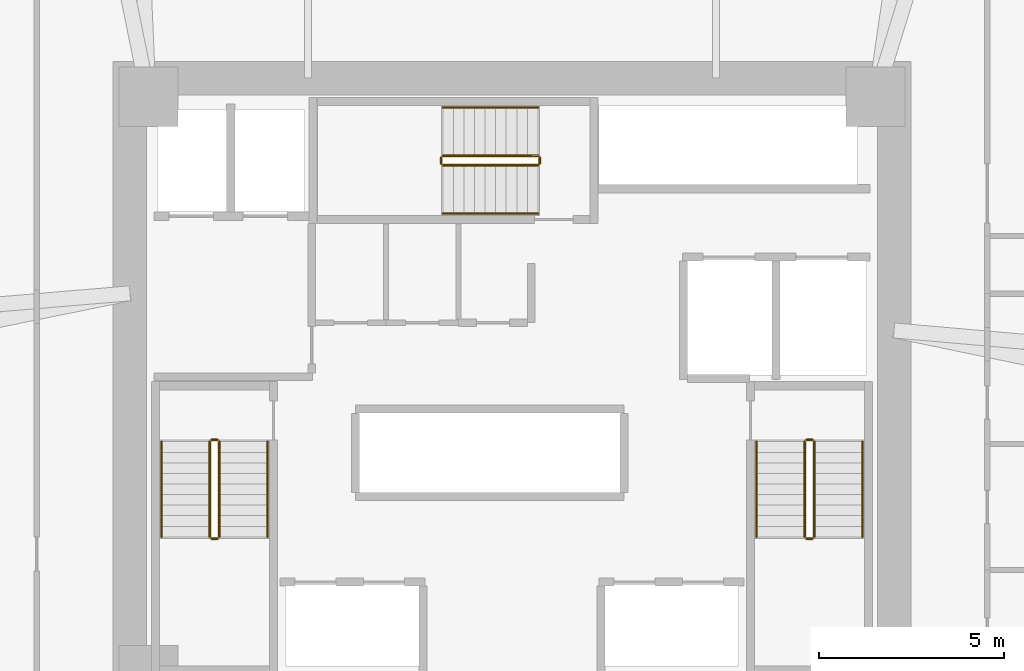
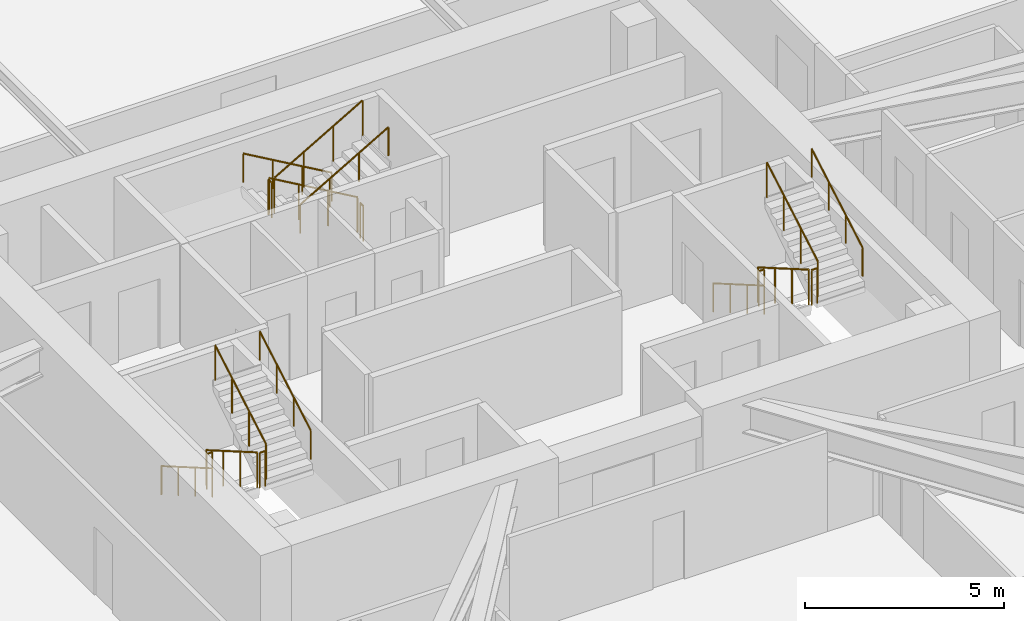
# One storey, part 16 of 16: 18 railings.
"""IFC4 building model written with IfcOpenShell, lengths in metres."""

from ifc_helpers import new_model, si_unit, direction, frame, origin, origin_2d, place, context, subcontext, project, spatial, circle, extrude, material, type_object, element, save


model = new_model("IFC4")

# Units and contexts
model_context = context("Model", 3, precision=1e-05, world=origin(), true_north=direction((0.0, 1.0)))
body_context = subcontext(model_context, "Body", "Model", "MODEL_VIEW")
ifc_project = project(units=[si_unit("LENGTHUNIT", "METRE"), si_unit("AREAUNIT", "SQUARE_METRE"), si_unit("VOLUMEUNIT", "CUBIC_METRE"), si_unit("PLANEANGLEUNIT", "RADIAN"), si_unit("MASSUNIT", "GRAM", prefix="KILO")], contexts=[model_context])

# Site, building, storey
site_placement = place(None, origin())
site = spatial("IfcSite", under=ifc_project, at=site_placement, CompositionType="ELEMENT")
building_placement = place(site_placement, origin())
building = spatial("IfcBuilding", under=site, at=building_placement, Name="Durnholm Broadcast Tower", CompositionType="ELEMENT")
storey_placement = place(building_placement, frame((0.0, 0.0, 65.39990234375)))
storey = spatial("IfcBuildingStorey", under=building, at=storey_placement, Name="L16", CompositionType="ELEMENT", Elevation=65.39990234375)

# Railings
ifc_material_1 = material(Name="Painted Tubular Steel Stair Guardrail", Category="steel")
railing_type_1 = type_object("IfcRailingType", Name="RAIL-ST-GRD", PredefinedType="GUARDRAIL", material=ifc_material_1)
railing_1_placement = place(storey_placement, frame((-8.14990234375, -1.5, 0.1650390625)))
element("IfcRailing", 1, at=railing_1_placement, inside=storey, type_object=railing_type_1, Name="L16 ST-1 stair guard 1", PredefinedType="GUARDRAIL", context=body_context, shape_type="SweptSolid", body=[
    extrude(circle(Radius=0.02392578125, at=origin_2d()), frame((0.0, 0.0, 1.076171875), z_axis=(0.0, -0.865405606168, 0.501071987656), x_axis=(1.0, 0.0, 0.0)), (0.0, 0.0, 1.0), 2.9638671875),
    extrude(circle(Radius=0.02099609375, at=origin_2d()), origin(), (0.0, 0.0, 1.0), 1.052001953125),
    extrude(circle(Radius=0.02099609375, at=origin_2d()), frame((0.0, -0.85498046875, 0.4951171875)), (0.0, 0.0, 1.0), 1.052001953125),
    extrude(circle(Radius=0.02099609375, at=origin_2d()), frame((0.0, -1.7099609375, 0.989990234375)), (0.0, 0.0, 1.0), 1.052001953125),
    extrude(circle(Radius=0.02099609375, at=origin_2d()), frame((0.0, -2.56494140625, 1.485107421875)), (0.0, 0.0, 1.0), 1.052001953125),
])
railing_2_placement = place(storey_placement, frame((-8.10009765625, -4.114990234375, 1.650146484375)))
element("IfcRailing", 2, at=railing_2_placement, inside=storey, type_object=railing_type_1, Name="L16 ST-1 stair guard 2", PredefinedType="GUARDRAIL", context=body_context, shape_type="SweptSolid", body=[
    extrude(circle(Radius=0.02392578125, at=origin_2d()), frame((0.0, 0.0, 1.076171875), z_axis=(1.0, 0.0, 0.0), x_axis=(0.0, 1.0, 0.0)), (0.0, 0.0, 1.0), 0.16015625),
    extrude(circle(Radius=0.02099609375, at=origin_2d()), origin(), (0.0, 0.0, 1.0), 1.052001953125),
    extrude(circle(Radius=0.02099609375, at=origin_2d()), frame((0.16015625, 0.0, 0.0)), (0.0, 0.0, 1.0), 1.052001953125),
])
railing_3_placement = place(storey_placement, frame((-7.889892578125, -4.06494140625, 1.815185546875)))
element("IfcRailing", 3, at=railing_3_placement, inside=storey, type_object=railing_type_1, Name="L16 ST-1 stair guard 3", PredefinedType="GUARDRAIL", context=body_context, shape_type="SweptSolid", body=[
    extrude(circle(Radius=0.02392578125, at=origin_2d()), frame((0.0, 0.0, 1.076171875), z_axis=(0.0, 0.865441324677, 0.50101029285), x_axis=(-1.0, 0.0, 0.0)), (0.0, 0.0, 1.0), 2.963623046875),
    extrude(circle(Radius=0.02099609375, at=origin_2d()), origin(), (0.0, 0.0, 1.0), 1.052001953125),
    extrude(circle(Radius=0.02099609375, at=origin_2d()), frame((0.0, 0.85498046875, 0.494873046875)), (0.0, 0.0, 1.0), 1.052001953125),
    extrude(circle(Radius=0.02099609375, at=origin_2d()), frame((0.0, 1.7099609375, 0.989990234375)), (0.0, 0.0, 1.0), 1.052001953125),
    extrude(circle(Radius=0.02099609375, at=origin_2d()), frame((0.0, 2.56494140625, 1.48486328125)), (0.0, 0.0, 1.0), 1.052001953125),
])
railing_4_placement = place(storey_placement, frame((-8.10009765625, -1.449951171875, 0.0)))
element("IfcRailing", 4, at=railing_4_placement, inside=storey, type_object=railing_type_1, Name="L16 ST-1 stair guard 4", PredefinedType="GUARDRAIL", context=body_context, shape_type="SweptSolid", body=[
    extrude(circle(Radius=0.02392578125, at=origin_2d()), frame((0.0, 0.0, 1.076171875), z_axis=(1.0, 0.0, 0.0), x_axis=(0.0, 1.0, 0.0)), (0.0, 0.0, 1.0), 0.16015625),
    extrude(circle(Radius=0.02099609375, at=origin_2d()), origin(), (0.0, 0.0, 1.0), 1.052001953125),
    extrude(circle(Radius=0.02099609375, at=origin_2d()), frame((0.16015625, 0.0, 0.0)), (0.0, 0.0, 1.0), 1.052001953125),
])
railing_5_placement = place(storey_placement, frame((7.889892578125, -1.5, 0.1650390625)))
element("IfcRailing", 5, at=railing_5_placement, inside=storey, type_object=railing_type_1, Name="L16 ST-2 stair guard 1", PredefinedType="GUARDRAIL", context=body_context, shape_type="SweptSolid", body=[
    extrude(circle(Radius=0.02392578125, at=origin_2d()), frame((0.0, 0.0, 1.076171875), z_axis=(0.0, -0.865405606168, 0.501071987656), x_axis=(1.0, 0.0, 0.0)), (0.0, 0.0, 1.0), 2.9638671875),
    extrude(circle(Radius=0.02099609375, at=origin_2d()), origin(), (0.0, 0.0, 1.0), 1.052001953125),
    extrude(circle(Radius=0.02099609375, at=origin_2d()), frame((0.0, -0.85498046875, 0.4951171875)), (0.0, 0.0, 1.0), 1.052001953125),
    extrude(circle(Radius=0.02099609375, at=origin_2d()), frame((0.0, -1.7099609375, 0.989990234375)), (0.0, 0.0, 1.0), 1.052001953125),
    extrude(circle(Radius=0.02099609375, at=origin_2d()), frame((0.0, -2.56494140625, 1.485107421875)), (0.0, 0.0, 1.0), 1.052001953125),
])
railing_6_placement = place(storey_placement, frame((7.93994140625, -4.114990234375, 1.650146484375)))
element("IfcRailing", 6, at=railing_6_placement, inside=storey, type_object=railing_type_1, Name="L16 ST-2 stair guard 2", PredefinedType="GUARDRAIL", context=body_context, shape_type="SweptSolid", body=[
    extrude(circle(Radius=0.02392578125, at=origin_2d()), frame((0.0, 0.0, 1.076171875), z_axis=(1.0, 0.0, 0.0), x_axis=(0.0, 1.0, 0.0)), (0.0, 0.0, 1.0), 0.16015625),
    extrude(circle(Radius=0.02099609375, at=origin_2d()), origin(), (0.0, 0.0, 1.0), 1.052001953125),
    extrude(circle(Radius=0.02099609375, at=origin_2d()), frame((0.16015625, 0.0, 0.0)), (0.0, 0.0, 1.0), 1.052001953125),
])
railing_7_placement = place(storey_placement, frame((8.14990234375, -4.06494140625, 1.815185546875)))
element("IfcRailing", 7, at=railing_7_placement, inside=storey, type_object=railing_type_1, Name="L16 ST-2 stair guard 3", PredefinedType="GUARDRAIL", context=body_context, shape_type="SweptSolid", body=[
    extrude(circle(Radius=0.02392578125, at=origin_2d()), frame((0.0, 0.0, 1.076171875), z_axis=(0.0, 0.865441324677, 0.50101029285), x_axis=(-1.0, 0.0, 0.0)), (0.0, 0.0, 1.0), 2.963623046875),
    extrude(circle(Radius=0.02099609375, at=origin_2d()), origin(), (0.0, 0.0, 1.0), 1.052001953125),
    extrude(circle(Radius=0.02099609375, at=origin_2d()), frame((0.0, 0.85498046875, 0.494873046875)), (0.0, 0.0, 1.0), 1.052001953125),
    extrude(circle(Radius=0.02099609375, at=origin_2d()), frame((0.0, 1.7099609375, 0.989990234375)), (0.0, 0.0, 1.0), 1.052001953125),
    extrude(circle(Radius=0.02099609375, at=origin_2d()), frame((0.0, 2.56494140625, 1.48486328125)), (0.0, 0.0, 1.0), 1.052001953125),
])
railing_8_placement = place(storey_placement, frame((7.93994140625, -1.449951171875, 0.0)))
element("IfcRailing", 8, at=railing_8_placement, inside=storey, type_object=railing_type_1, Name="L16 ST-2 stair guard 4", PredefinedType="GUARDRAIL", context=body_context, shape_type="SweptSolid", body=[
    extrude(circle(Radius=0.02392578125, at=origin_2d()), frame((0.0, 0.0, 1.076171875), z_axis=(1.0, 0.0, 0.0), x_axis=(0.0, 1.0, 0.0)), (0.0, 0.0, 1.0), 0.16015625),
    extrude(circle(Radius=0.02099609375, at=origin_2d()), origin(), (0.0, 0.0, 1.0), 1.052001953125),
    extrude(circle(Radius=0.02099609375, at=origin_2d()), frame((0.16015625, 0.0, 0.0)), (0.0, 0.0, 1.0), 1.052001953125),
])
railing_9_placement = place(storey_placement, frame((0.699951171875, 6.2099609375, 0.1650390625)))
element("IfcRailing", 9, at=railing_9_placement, inside=storey, type_object=railing_type_1, Name="L16 ST-3 stair guard 1", PredefinedType="GUARDRAIL", context=body_context, shape_type="SweptSolid", body=[
    extrude(circle(Radius=0.02392578125, at=origin_2d()), frame((0.0, 0.0, 1.076171875), z_axis=(-0.865405606168, 0.0, 0.501071987656), x_axis=(0.0, -1.0, 0.0)), (0.0, 0.0, 1.0), 2.9638671875),
    extrude(circle(Radius=0.02099609375, at=origin_2d()), origin(), (0.0, 0.0, 1.0), 1.052001953125),
    extrude(circle(Radius=0.02099609375, at=origin_2d()), frame((-0.85498046875, 0.0, 0.4951171875)), (0.0, 0.0, 1.0), 1.052001953125),
    extrude(circle(Radius=0.02099609375, at=origin_2d()), frame((-1.7099609375, 0.0, 0.989990234375)), (0.0, 0.0, 1.0), 1.052001953125),
    extrude(circle(Radius=0.02099609375, at=origin_2d()), frame((-2.56494140625, 0.0, 1.485107421875)), (0.0, 0.0, 1.0), 1.052001953125),
])
railing_10_placement = place(storey_placement, frame((-1.9150390625, 6.159912109375, 1.650146484375)))
element("IfcRailing", 10, at=railing_10_placement, inside=storey, type_object=railing_type_1, Name="L16 ST-3 stair guard 2", PredefinedType="GUARDRAIL", context=body_context, shape_type="SweptSolid", body=[
    extrude(circle(Radius=0.02392578125, at=origin_2d()), frame((0.0, 0.0, 1.076171875), z_axis=(0.0, -1.0, 0.0), x_axis=(1.0, 0.0, 0.0)), (0.0, 0.0, 1.0), 0.159912109375),
    extrude(circle(Radius=0.02099609375, at=origin_2d()), origin(), (0.0, 0.0, 1.0), 1.052001953125),
    extrude(circle(Radius=0.02099609375, at=origin_2d()), frame((0.0, -0.159912109375, 0.0)), (0.0, 0.0, 1.0), 1.052001953125),
])
railing_11_placement = place(storey_placement, frame((-1.864990234375, 5.949951171875, 1.815185546875)))
element("IfcRailing", 11, at=railing_11_placement, inside=storey, type_object=railing_type_1, Name="L16 ST-3 stair guard 3", PredefinedType="GUARDRAIL", context=body_context, shape_type="SweptSolid", body=[
    extrude(circle(Radius=0.02392578125, at=origin_2d()), frame((0.0, 0.0, 1.076171875), z_axis=(0.865441324677, 0.0, 0.50101029285), x_axis=(0.0, 1.0, 0.0)), (0.0, 0.0, 1.0), 2.963623046875),
    extrude(circle(Radius=0.02099609375, at=origin_2d()), origin(), (0.0, 0.0, 1.0), 1.052001953125),
    extrude(circle(Radius=0.02099609375, at=origin_2d()), frame((0.85498046875, 0.0, 0.494873046875)), (0.0, 0.0, 1.0), 1.052001953125),
    extrude(circle(Radius=0.02099609375, at=origin_2d()), frame((1.7099609375, 0.0, 0.989990234375)), (0.0, 0.0, 1.0), 1.052001953125),
    extrude(circle(Radius=0.02099609375, at=origin_2d()), frame((2.56494140625, 0.0, 1.48486328125)), (0.0, 0.0, 1.0), 1.052001953125),
])
railing_12_placement = place(storey_placement, frame((0.75, 6.159912109375, 0.0)))
element("IfcRailing", 12, at=railing_12_placement, inside=storey, type_object=railing_type_1, Name="L16 ST-3 stair guard 4", PredefinedType="GUARDRAIL", context=body_context, shape_type="SweptSolid", body=[
    extrude(circle(Radius=0.02392578125, at=origin_2d()), frame((0.0, 0.0, 1.076171875), z_axis=(0.0, -1.0, 0.0), x_axis=(1.0, 0.0, 0.0)), (0.0, 0.0, 1.0), 0.159912109375),
    extrude(circle(Radius=0.02099609375, at=origin_2d()), origin(), (0.0, 0.0, 1.0), 1.052001953125),
    extrude(circle(Radius=0.02099609375, at=origin_2d()), frame((0.0, -0.159912109375, 0.0)), (0.0, 0.0, 1.0), 1.052001953125),
])
ifc_material_2 = material(Name="Brushed Stainless Steel Handrail", Category="steel")
railing_type_2 = type_object("IfcRailingType", Name="RAIL-ST-HND", PredefinedType="HANDRAIL", material=ifc_material_2)
railing_13_placement = place(storey_placement, frame((-9.449951171875, -1.5, 0.330078125)))
element("IfcRailing", 13, at=railing_13_placement, inside=storey, type_object=railing_type_2, Name="L16 ST-1 stair handrail 1", PredefinedType="HANDRAIL", context=body_context, shape_type="SweptSolid", body=[
    extrude(circle(Radius=0.02392578125, at=origin_2d()), frame((0.0, 0.0, 0.8759765625), z_axis=(0.0, -0.865405606168, 0.501071987656), x_axis=(1.0, 0.0, 0.0)), (0.0, 0.0, 1.0), 2.9638671875),
    extrude(circle(Radius=0.02099609375, at=origin_2d()), origin(), (0.0, 0.0, 1.0), 0.851806640625),
    extrude(circle(Radius=0.02099609375, at=origin_2d()), frame((0.0, -0.85498046875, 0.4951171875)), (0.0, 0.0, 1.0), 0.851806640625),
    extrude(circle(Radius=0.02099609375, at=origin_2d()), frame((0.0, -1.7099609375, 0.989990234375)), (0.0, 0.0, 1.0), 0.851806640625),
    extrude(circle(Radius=0.02099609375, at=origin_2d()), frame((0.0, -2.56494140625, 1.485107421875)), (0.0, 0.0, 1.0), 0.851806640625),
])
railing_14_placement = place(storey_placement, frame((-6.590087890625, -4.06494140625, 1.97998046875)))
element("IfcRailing", 14, at=railing_14_placement, inside=storey, type_object=railing_type_2, Name="L16 ST-1 stair handrail 2", PredefinedType="HANDRAIL", context=body_context, shape_type="SweptSolid", body=[
    extrude(circle(Radius=0.02392578125, at=origin_2d()), frame((0.0, 0.0, 0.8759765625), z_axis=(0.0, 0.865405606168, 0.501071987656), x_axis=(-1.0, 0.0, 0.0)), (0.0, 0.0, 1.0), 2.9638671875),
    extrude(circle(Radius=0.02099609375, at=origin_2d()), origin(), (0.0, 0.0, 1.0), 0.851806640625),
    extrude(circle(Radius=0.02099609375, at=origin_2d()), frame((0.0, 0.85498046875, 0.4951171875)), (0.0, 0.0, 1.0), 0.851806640625),
    extrude(circle(Radius=0.02099609375, at=origin_2d()), frame((0.0, 1.7099609375, 0.989990234375)), (0.0, 0.0, 1.0), 0.851806640625),
    extrude(circle(Radius=0.02099609375, at=origin_2d()), frame((0.0, 2.56494140625, 1.485107421875)), (0.0, 0.0, 1.0), 0.851806640625),
])
railing_15_placement = place(storey_placement, frame((6.590087890625, -1.5, 0.330078125)))
element("IfcRailing", 15, at=railing_15_placement, inside=storey, type_object=railing_type_2, Name="L16 ST-2 stair handrail 1", PredefinedType="HANDRAIL", context=body_context, shape_type="SweptSolid", body=[
    extrude(circle(Radius=0.02392578125, at=origin_2d()), frame((0.0, 0.0, 0.8759765625), z_axis=(0.0, -0.865405606168, 0.501071987656), x_axis=(1.0, 0.0, 0.0)), (0.0, 0.0, 1.0), 2.9638671875),
    extrude(circle(Radius=0.02099609375, at=origin_2d()), origin(), (0.0, 0.0, 1.0), 0.851806640625),
    extrude(circle(Radius=0.02099609375, at=origin_2d()), frame((0.0, -0.85498046875, 0.4951171875)), (0.0, 0.0, 1.0), 0.851806640625),
    extrude(circle(Radius=0.02099609375, at=origin_2d()), frame((0.0, -1.7099609375, 0.989990234375)), (0.0, 0.0, 1.0), 0.851806640625),
    extrude(circle(Radius=0.02099609375, at=origin_2d()), frame((0.0, -2.56494140625, 1.485107421875)), (0.0, 0.0, 1.0), 0.851806640625),
])
railing_16_placement = place(storey_placement, frame((9.449951171875, -4.06494140625, 1.97998046875)))
element("IfcRailing", 16, at=railing_16_placement, inside=storey, type_object=railing_type_2, Name="L16 ST-2 stair handrail 2", PredefinedType="HANDRAIL", context=body_context, shape_type="SweptSolid", body=[
    extrude(circle(Radius=0.02392578125, at=origin_2d()), frame((0.0, 0.0, 0.8759765625), z_axis=(0.0, 0.865405606168, 0.501071987656), x_axis=(-1.0, 0.0, 0.0)), (0.0, 0.0, 1.0), 2.9638671875),
    extrude(circle(Radius=0.02099609375, at=origin_2d()), origin(), (0.0, 0.0, 1.0), 0.851806640625),
    extrude(circle(Radius=0.02099609375, at=origin_2d()), frame((0.0, 0.85498046875, 0.4951171875)), (0.0, 0.0, 1.0), 0.851806640625),
    extrude(circle(Radius=0.02099609375, at=origin_2d()), frame((0.0, 1.7099609375, 0.989990234375)), (0.0, 0.0, 1.0), 0.851806640625),
    extrude(circle(Radius=0.02099609375, at=origin_2d()), frame((0.0, 2.56494140625, 1.485107421875)), (0.0, 0.0, 1.0), 0.851806640625),
])
railing_17_placement = place(storey_placement, frame((0.699951171875, 7.510009765625, 0.330078125)))
element("IfcRailing", 17, at=railing_17_placement, inside=storey, type_object=railing_type_2, Name="L16 ST-3 stair handrail 1", PredefinedType="HANDRAIL", context=body_context, shape_type="SweptSolid", body=[
    extrude(circle(Radius=0.02392578125, at=origin_2d()), frame((0.0, 0.0, 0.8759765625), z_axis=(-0.865405606168, 0.0, 0.501071987656), x_axis=(0.0, -1.0, 0.0)), (0.0, 0.0, 1.0), 2.9638671875),
    extrude(circle(Radius=0.02099609375, at=origin_2d()), origin(), (0.0, 0.0, 1.0), 0.851806640625),
    extrude(circle(Radius=0.02099609375, at=origin_2d()), frame((-0.85498046875, 0.0, 0.4951171875)), (0.0, 0.0, 1.0), 0.851806640625),
    extrude(circle(Radius=0.02099609375, at=origin_2d()), frame((-1.7099609375, 0.0, 0.989990234375)), (0.0, 0.0, 1.0), 0.851806640625),
    extrude(circle(Radius=0.02099609375, at=origin_2d()), frame((-2.56494140625, 0.0, 1.485107421875)), (0.0, 0.0, 1.0), 0.851806640625),
])
railing_18_placement = place(storey_placement, frame((-1.864990234375, 4.64990234375, 1.97998046875)))
element("IfcRailing", 18, at=railing_18_placement, inside=storey, type_object=railing_type_2, Name="L16 ST-3 stair handrail 2", PredefinedType="HANDRAIL", context=body_context, shape_type="SweptSolid", body=[
    extrude(circle(Radius=0.02392578125, at=origin_2d()), frame((0.0, 0.0, 0.8759765625), z_axis=(0.865405606168, 0.0, 0.501071987656), x_axis=(0.0, 1.0, 0.0)), (0.0, 0.0, 1.0), 2.9638671875),
    extrude(circle(Radius=0.02099609375, at=origin_2d()), origin(), (0.0, 0.0, 1.0), 0.851806640625),
    extrude(circle(Radius=0.02099609375, at=origin_2d()), frame((0.85498046875, 0.0, 0.4951171875)), (0.0, 0.0, 1.0), 0.851806640625),
    extrude(circle(Radius=0.02099609375, at=origin_2d()), frame((1.7099609375, 0.0, 0.989990234375)), (0.0, 0.0, 1.0), 0.851806640625),
    extrude(circle(Radius=0.02099609375, at=origin_2d()), frame((2.56494140625, 0.0, 1.485107421875)), (0.0, 0.0, 1.0), 0.851806640625),
])

save(model, "model.ifc")
